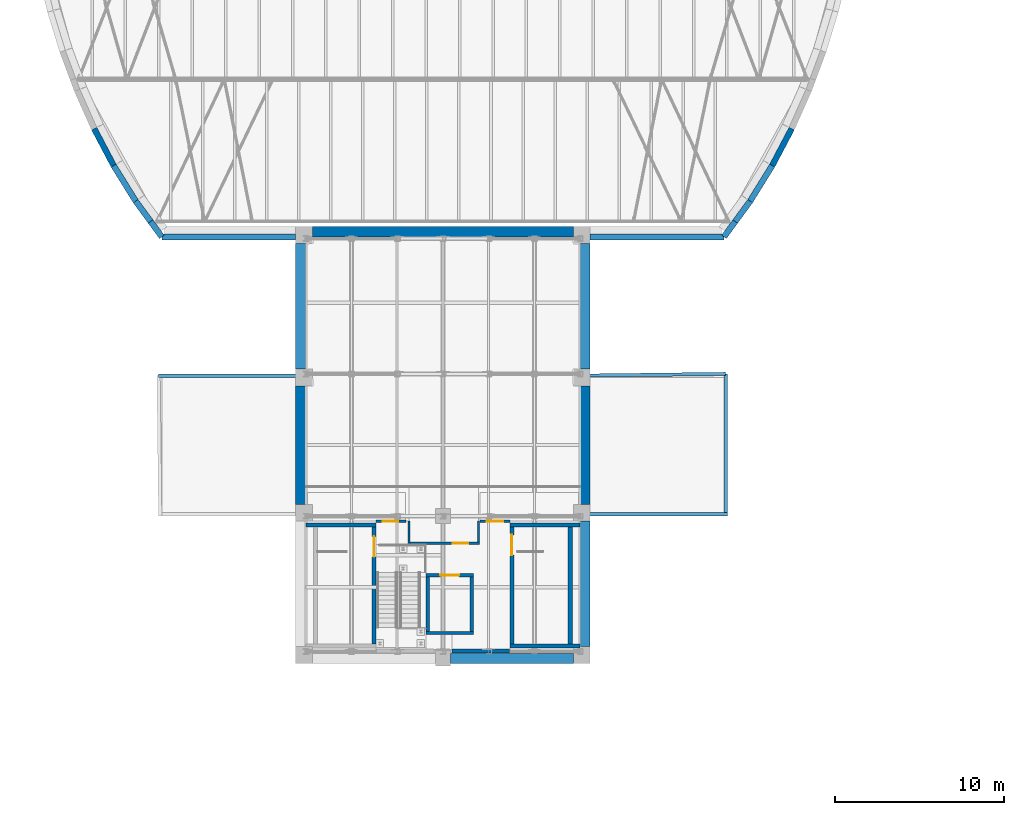
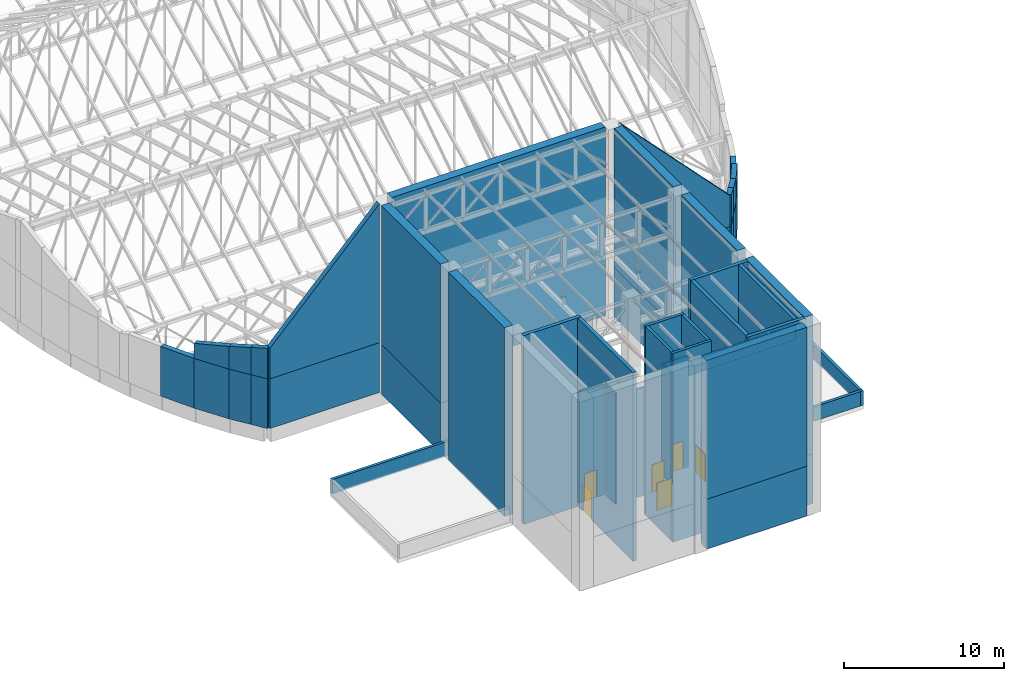
# One storey, part 36 of 68: 49 walls, 6 doors, 6 openings.
"""IFC4 building model written with IfcOpenShell, lengths in metres."""

from ifc_helpers import new_model, si_unit, direction, frame, frame_2d, origin, place, context, subcontext, project, spatial, polyline, rectangle, outline, extrude, material, layer, layer_set, type_object, element, fill, save


model = new_model("IFC4")

# Units and contexts
model_context = context("Model", 3, precision=1e-05, world=origin(), true_north=direction((0.0, 1.0)))
body_context = subcontext(model_context, "Body", "Model", "MODEL_VIEW")
ifc_project = project(units=[si_unit("LENGTHUNIT", "METRE"), si_unit("AREAUNIT", "SQUARE_METRE"), si_unit("VOLUMEUNIT", "CUBIC_METRE"), si_unit("PLANEANGLEUNIT", "RADIAN"), si_unit("MASSUNIT", "GRAM", prefix="KILO")], contexts=[model_context])

# Site, building, storey
site_placement = place(None, origin())
site = spatial("IfcSite", under=ifc_project, at=site_placement, CompositionType="ELEMENT")
building_placement = place(site_placement, origin())
building = spatial("IfcBuilding", under=site, at=building_placement, Name="Larchfold Concert Hall", CompositionType="ELEMENT")
storey_placement = place(building_placement, frame((0.0, 0.0, 28.800048828125)))
storey = spatial("IfcBuildingStorey", under=building, at=storey_placement, Name="L06", CompositionType="ELEMENT", Elevation=28.800048828125)

# Wall
ifc_material_1 = material(Name="Plasterboard partition on steel studs", Category="steel")
ifc_layer_1 = layer(ifc_material_1, 0.125)
ifc_layer_set_1 = layer_set([ifc_layer_1], Name="Plasterboard partition on steel studs")
wall_type_1 = type_object("IfcWallType", Name="Corridor partition 125 EI 60", PredefinedType="PARTITIONING", material=ifc_layer_set_1)
wall_1_placement = place(storey_placement, frame((40.60009765625, 42.31005859375, 0.0), z_axis=(0.0, 0.0, 1.0), x_axis=(-0.000888730541, -0.999999605079, 0.0)))
element("IfcWall", 1, at=wall_1_placement, inside=storey, type_object=wall_type_1, Name="Partition IW0003", PredefinedType="PARTITIONING", context=body_context, shape_type="SweptSolid", body=[
    extrude(rectangle(XDim=1.37353515625, YDim=0.125, at=frame_2d((0.686767578125, 0.0))), origin(), (0.0, 0.0, 1.0), 8.5),
])

# Wall, opening, door
wall_2_placement = place(storey_placement, frame((40.66162109375, 40.9990234375, 0.0), z_axis=(0.0, 0.0, 1.0), x_axis=(0.999999971645, 0.000238137756, 0.0)))
wall_2 = element("IfcWall", 2, at=wall_2_placement, inside=storey, type_object=wall_type_1, Name="Partition IW0004", PredefinedType="PARTITIONING", context=body_context, shape_type="SweptSolid", body=[
    extrude(rectangle(XDim=4.100830078125, YDim=0.125, at=frame_2d((2.05029296875, 0.0))), origin(), (0.0, 0.0, 1.0), 8.259765625),
])
opening_1_placement = place(wall_2_placement, frame((2.523681640625, 0.0, 0.0)))
opening_1 = element("IfcOpeningElement", 3, at=opening_1_placement, cuts=wall_2, Name="Opening D-L06-100", PredefinedType="OPENING", context=body_context, shape_type="SweptSolid", body=[
    extrude(rectangle(XDim=0.89990234375, YDim=2.10009765625, at=frame_2d((0.449951171875, 1.050048828125))), frame((0.0, 0.072509765625, 0.0), z_axis=(0.0, -1.0, 0.0), x_axis=(1.0, 0.0, 0.0)), (0.0, 0.0, 1.0), 0.14501953125),
])
ifc_material_2 = material(Name="Timber door leaf", Category="wood")
door_type_1 = type_object("IfcDoorType", Name="Control room door 900 x 2100 FD60S", OperationType="SINGLE_SWING_LEFT", PredefinedType="DOOR", material=ifc_material_2)
door_1_placement = place(opening_1_placement, origin())
door_1 = element("IfcDoor", 4, at=door_1_placement, inside=storey, type_object=door_type_1, Name="Door D-L06-100", OperationType="SINGLE_SWING_LEFT", OverallHeight=2.10009765625, OverallWidth=0.89990234375, PredefinedType="DOOR", context=body_context, shape_type="SweptSolid", body=[
    extrude(rectangle(XDim=0.89990234375, YDim=2.10009765625, at=frame_2d((0.449951171875, 1.050048828125))), frame((0.0, 0.02490234375, 0.0), z_axis=(0.0, -1.0, 0.0), x_axis=(1.0, 0.0, 0.0)), (0.0, 0.0, 1.0), 0.050048828125),
])
fill(opening_1, door_1)

# Walls
wall_3_placement = place(storey_placement, frame((44.699951171875, 41.0625, 0.0), z_axis=(0.0, 0.0, 1.0), x_axis=(0.0, 1.0, 0.0)))
element("IfcWall", 5, at=wall_3_placement, inside=storey, type_object=wall_type_1, Name="Partition IW0005", PredefinedType="PARTITIONING", context=body_context, shape_type="SweptSolid", body=[
    extrude(rectangle(XDim=1.24658203125, YDim=0.125, at=frame_2d((0.623291015625, 0.0))), origin(), (0.0, 0.0, 1.0), 8.5),
])
ifc_material_3 = material(Name="Plasterboard partition on steel studs", Category="steel")
ifc_layer_2 = layer(ifc_material_3, 0.25)
ifc_layer_set_2 = layer_set([ifc_layer_2], Name="Plasterboard partition on steel studs")
wall_type_2 = type_object("IfcWallType", Name="Hall acoustic double-leaf partition 250", PredefinedType="PARTITIONING", material=ifc_layer_set_2)
wall_4_placement = place(storey_placement, frame((46.530029296875, 34.626953125, 0.0), z_axis=(0.0, 0.0, 1.0), x_axis=(-1.0, 0.0, 0.0)))
element("IfcWall", 6, at=wall_4_placement, inside=storey, type_object=wall_type_2, Name="Partition IW0001", PredefinedType="PARTITIONING", context=body_context, shape_type="SweptSolid", body=[
    extrude(rectangle(XDim=3.400146484375, YDim=0.25, at=frame_2d((1.7001953125, 0.0))), origin(), (0.0, 0.0, 1.0), 8.5),
])
ifc_material_4 = material(Name="White mineral panel on mineral wool")
ifc_layer_3 = layer(ifc_material_4, 0.35009765625)
ifc_layer_set_3 = layer_set([ifc_layer_3], Name="White mineral panel on mineral wool")
wall_type_3 = type_object("IfcWallType", Name="Insulated panel wall 350", PredefinedType="SOLIDWALL", material=ifc_layer_set_3)
wall_5_placement = place(storey_placement, frame((63.20263671875, 65.488525390625, 0.0), z_axis=(0.0, 0.0, 1.0), x_axis=(-0.466442910711, -0.884551304927, 0.0)))
element("IfcWall", 7, at=wall_5_placement, inside=storey, type_object=wall_type_3, Name="Infill wall W5231", PredefinedType="SOLIDWALL", context=body_context, shape_type="SweptSolid", body=[
    extrude(rectangle(XDim=2.469970703125, YDim=0.35009765625, at=frame_2d((1.23486328125, 0.0))), origin(), (0.0, 0.0, 1.0), 3.800048828125),
])
wall_6_placement = place(storey_placement, frame((62.050537109375, 63.3037109375, 0.0), z_axis=(0.0, 0.0, 1.0), x_axis=(-0.527670240174, -0.849449302569, 0.0)))
element("IfcWall", 8, at=wall_6_placement, inside=storey, type_object=wall_type_3, Name="Infill wall W5232", PredefinedType="SOLIDWALL", context=body_context, shape_type="SweptSolid", body=[
    extrude(rectangle(XDim=2.47119140625, YDim=0.35009765625, at=frame_2d((1.235595703125, 0.0))), origin(), (0.0, 0.0, 1.0), 3.800048828125),
])
wall_7_placement = place(storey_placement, frame((62.050537109375, 63.3037109375, 3.800048828125), z_axis=(0.0, 0.0, 1.0), x_axis=(-0.527670240174, -0.849449302569, 0.0)))
element("IfcWall", 9, at=wall_7_placement, inside=storey, type_object=wall_type_3, Name="Infill wall W5233", PredefinedType="SOLIDWALL", context=body_context, shape_type="SweptSolid", body=[
    extrude(outline(polyline([(0.0, 0.0), (2.47119140625, 0.0), (2.47119140625, 1.734375), (0.0, 1.150634765625), (0.0, 0.0)])), frame((0.0, 0.175048828125, 0.0), z_axis=(0.0, -1.0, 0.0), x_axis=(1.0, 0.0, 0.0)), (0.0, 0.0, 1.0), 0.35009765625),
])
wall_8_placement = place(storey_placement, frame((60.74658203125, 61.20458984375, 0.0), z_axis=(0.0, 0.0, 1.0), x_axis=(-0.590803483221, -0.806815495769, 0.0)))
element("IfcWall", 10, at=wall_8_placement, inside=storey, type_object=wall_type_3, Name="Infill wall W5234", PredefinedType="SOLIDWALL", context=body_context, shape_type="SweptSolid", body=[
    extrude(rectangle(XDim=1.492919921875, YDim=0.35009765625, at=frame_2d((0.74658203125, 0.0))), origin(), (0.0, 0.0, 1.0), 3.800048828125),
])
wall_9_placement = place(storey_placement, frame((60.74658203125, 61.20458984375, 3.800048828125), z_axis=(0.0, 0.0, 1.0), x_axis=(-0.590803483221, -0.806815495769, 0.0)))
element("IfcWall", 11, at=wall_9_placement, inside=storey, type_object=wall_type_3, Name="Infill wall W5235", PredefinedType="SOLIDWALL", context=body_context, shape_type="SweptSolid", body=[
    extrude(outline(polyline([(0.0, 0.0), (1.492919921875, 0.0), (1.4931640625, 2.0751953125), (0.0, 1.743896484375), (0.0, 0.0)])), frame((0.0, 0.175048828125, 0.0), z_axis=(0.0, -1.0, 0.0), x_axis=(1.0, 0.0, 0.0)), (0.0, 0.0, 1.0), 0.35009765625),
])
wall_10_placement = place(storey_placement, frame((59.864501953125, 60.0, 0.0), z_axis=(0.0, 0.0, 1.0), x_axis=(-0.590731259203, -0.80686837799, 0.0)))
element("IfcWall", 12, at=wall_10_placement, inside=storey, type_object=wall_type_3, Name="Infill wall W5236", PredefinedType="SOLIDWALL", context=body_context, shape_type="SweptSolid", body=[
    extrude(rectangle(XDim=1.12158203125, YDim=0.35009765625, at=frame_2d((0.560791015625, 0.0))), origin(), (0.0, 0.0, 1.0), 3.800048828125),
])
wall_11_placement = place(storey_placement, frame((59.864501953125, 60.0, 3.800048828125), z_axis=(0.0, 0.0, 1.0), x_axis=(-0.590731259203, -0.80686837799, 0.0)))
element("IfcWall", 13, at=wall_11_placement, inside=storey, type_object=wall_type_3, Name="Infill wall W5237", PredefinedType="SOLIDWALL", context=body_context, shape_type="SweptSolid", body=[
    extrude(outline(polyline([(0.0, 0.0), (1.12158203125, 0.0), (1.121826171875, 2.3310546875), (0.0, 2.08447265625), (0.0, 0.0)])), frame((0.0, 0.175048828125, 0.0), z_axis=(0.0, -1.0, 0.0), x_axis=(1.0, 0.0, 0.0)), (0.0, 0.0, 1.0), 0.35009765625),
])
wall_12_placement = place(storey_placement, frame((59.201904296875, 59.094970703125, 0.0), z_axis=(0.0, 0.0, 1.0), x_axis=(-1.0, 0.0, 0.0)))
element("IfcWall", 14, at=wall_12_placement, inside=storey, type_object=wall_type_3, Name="Infill wall W5238", PredefinedType="SOLIDWALL", context=body_context, shape_type="SweptSolid", body=[
    extrude(rectangle(XDim=7.90185546875, YDim=0.35009765625, at=frame_2d((3.950927734375, 0.0))), origin(), (0.0, 0.0, 1.0), 3.800048828125),
])
wall_13_placement = place(storey_placement, frame((59.201904296875, 59.094970703125, 3.800048828125), z_axis=(0.0, 0.0, 1.0), x_axis=(-1.0, 0.0, 0.0)))
element("IfcWall", 15, at=wall_13_placement, inside=storey, type_object=wall_type_3, Name="Infill wall W5239", PredefinedType="SOLIDWALL", context=body_context, shape_type="SweptSolid", body=[
    extrude(outline(polyline([(0.0, 0.0), (7.90185546875, 0.0), (7.90185546875, 10.58984375), (0.0, 2.335693359375), (0.0, 0.0)])), frame((0.0, 0.175048828125, 0.0), z_axis=(0.0, -1.0, 0.0), x_axis=(1.0, 0.0, 0.0)), (0.0, 0.0, 1.0), 0.35009765625),
])
wall_14_placement = place(storey_placement, frame((33.89990234375, 59.094970703125, 0.0), z_axis=(0.0, 0.0, 1.0), x_axis=(-1.0, 0.0, 0.0)))
element("IfcWall", 16, at=wall_14_placement, inside=storey, type_object=wall_type_3, Name="Infill wall W5240", PredefinedType="SOLIDWALL", context=body_context, shape_type="SweptSolid", body=[
    extrude(rectangle(XDim=7.901611328125, YDim=0.35009765625, at=frame_2d((3.95068359375, 0.0))), origin(), (0.0, 0.0, 1.0), 3.800048828125),
])
wall_15_placement = place(storey_placement, frame((33.89990234375, 59.094970703125, 3.800048828125), z_axis=(0.0, 0.0, 1.0), x_axis=(-1.0, 0.0, 0.0)))
element("IfcWall", 17, at=wall_15_placement, inside=storey, type_object=wall_type_3, Name="Infill wall W5241", PredefinedType="SOLIDWALL", context=body_context, shape_type="SweptSolid", body=[
    extrude(outline(polyline([(0.0, 0.0), (7.901611328125, 0.0), (7.901611328125, 2.335693359375), (0.0, 10.58984375), (0.0, 0.0)])), frame((0.0, 0.175048828125, 0.0), z_axis=(0.0, -1.0, 0.0), x_axis=(1.0, 0.0, 0.0)), (0.0, 0.0, 1.0), 0.35009765625),
])
wall_16_placement = place(storey_placement, frame((25.998291015625, 59.094970703125, 0.0), z_axis=(0.0, 0.0, 1.0), x_axis=(-0.590731259203, 0.80686837799, 0.0)))
element("IfcWall", 18, at=wall_16_placement, inside=storey, type_object=wall_type_3, Name="Infill wall W5242", PredefinedType="SOLIDWALL", context=body_context, shape_type="SweptSolid", body=[
    extrude(rectangle(XDim=1.12158203125, YDim=0.35009765625, at=frame_2d((0.560791015625, 0.0))), origin(), (0.0, 0.0, 1.0), 3.800048828125),
])
wall_17_placement = place(storey_placement, frame((25.998291015625, 59.094970703125, 3.800048828125), z_axis=(0.0, 0.0, 1.0), x_axis=(-0.590731259203, 0.80686837799, 0.0)))
element("IfcWall", 19, at=wall_17_placement, inside=storey, type_object=wall_type_3, Name="Infill wall W5243", PredefinedType="SOLIDWALL", context=body_context, shape_type="SweptSolid", body=[
    extrude(outline(polyline([(0.0, 0.0), (1.12158203125, 0.0), (1.121826171875, 2.08447265625), (0.0, 2.3310546875), (0.0, 0.0)])), frame((0.0, 0.175048828125, 0.0), z_axis=(0.0, -1.0, 0.0), x_axis=(1.0, 0.0, 0.0)), (0.0, 0.0, 1.0), 0.35009765625),
])
wall_18_placement = place(storey_placement, frame((25.335693359375, 60.0, 0.0), z_axis=(0.0, 0.0, 1.0), x_axis=(-0.590803483221, 0.806815495769, 0.0)))
element("IfcWall", 20, at=wall_18_placement, inside=storey, type_object=wall_type_3, Name="Infill wall W5244", PredefinedType="SOLIDWALL", context=body_context, shape_type="SweptSolid", body=[
    extrude(rectangle(XDim=1.492919921875, YDim=0.35009765625, at=frame_2d((0.74658203125, 0.0))), origin(), (0.0, 0.0, 1.0), 3.800048828125),
])
wall_19_placement = place(storey_placement, frame((25.335693359375, 60.0, 3.800048828125), z_axis=(0.0, 0.0, 1.0), x_axis=(-0.590803483221, 0.806815495769, 0.0)))
element("IfcWall", 21, at=wall_19_placement, inside=storey, type_object=wall_type_3, Name="Infill wall W5245", PredefinedType="SOLIDWALL", context=body_context, shape_type="SweptSolid", body=[
    extrude(outline(polyline([(0.0, 0.0), (1.492919921875, 0.0), (1.4931640625, 1.743896484375), (0.0, 2.0751953125), (0.0, 0.0)])), frame((0.0, 0.175048828125, 0.0), z_axis=(0.0, -1.0, 0.0), x_axis=(1.0, 0.0, 0.0)), (0.0, 0.0, 1.0), 0.35009765625),
])
wall_20_placement = place(storey_placement, frame((24.45361328125, 61.20458984375, 0.0), z_axis=(0.0, 0.0, 1.0), x_axis=(-0.527670240174, 0.849449302569, 0.0)))
element("IfcWall", 22, at=wall_20_placement, inside=storey, type_object=wall_type_3, Name="Infill wall W5246", PredefinedType="SOLIDWALL", context=body_context, shape_type="SweptSolid", body=[
    extrude(rectangle(XDim=2.47119140625, YDim=0.35009765625, at=frame_2d((1.235595703125, 0.0))), origin(), (0.0, 0.0, 1.0), 3.800048828125),
])
wall_21_placement = place(storey_placement, frame((24.45361328125, 61.20458984375, 3.800048828125), z_axis=(0.0, 0.0, 1.0), x_axis=(-0.527670240174, 0.849449302569, 0.0)))
element("IfcWall", 23, at=wall_21_placement, inside=storey, type_object=wall_type_3, Name="Infill wall W5247", PredefinedType="SOLIDWALL", context=body_context, shape_type="SweptSolid", body=[
    extrude(outline(polyline([(0.0, 0.0), (2.47119140625, 0.0), (2.47119140625, 1.150634765625), (0.0, 1.734375), (0.0, 0.0)])), frame((0.0, 0.175048828125, 0.0), z_axis=(0.0, -1.0, 0.0), x_axis=(1.0, 0.0, 0.0)), (0.0, 0.0, 1.0), 0.35009765625),
])
wall_22_placement = place(storey_placement, frame((23.149658203125, 63.3037109375, 0.0), z_axis=(0.0, 0.0, 1.0), x_axis=(-0.466442910711, 0.884551304927, 0.0)))
element("IfcWall", 24, at=wall_22_placement, inside=storey, type_object=wall_type_3, Name="Infill wall W5248", PredefinedType="SOLIDWALL", context=body_context, shape_type="SweptSolid", body=[
    extrude(rectangle(XDim=2.469970703125, YDim=0.35009765625, at=frame_2d((1.23486328125, 0.0))), origin(), (0.0, 0.0, 1.0), 3.800048828125),
])
ifc_material_5 = material(Name="White render on insulated block")
ifc_layer_4 = layer(ifc_material_5, 0.199951171875)
ifc_layer_set_4 = layer_set([ifc_layer_4], Name="White render on insulated block")
wall_type_4 = type_object("IfcWallType", Name="Roof parapet 200", PredefinedType="PARAPET", material=ifc_layer_set_4)
wall_23_placement = place(storey_placement, frame((34.18994140625, 50.89990234375, 0.0), z_axis=(0.0, 0.0, 1.0), x_axis=(-1.0, 0.0, 0.0)))
element("IfcWall", 25, at=wall_23_placement, inside=storey, type_object=wall_type_4, Name="Parapet PW0006", PredefinedType="PARAPET", context=body_context, shape_type="SweptSolid", body=[
    extrude(rectangle(XDim=8.389892578125, YDim=0.199951171875, at=frame_2d((4.19482421875, 0.0))), origin(), (0.0, 0.0, 1.0), 1.10009765625),
])
wall_24_placement = place(storey_placement, frame((59.2998046875, 42.60009765625, 0.0), z_axis=(0.0, 0.0, 1.0), x_axis=(0.0, 1.0, 0.0)))
element("IfcWall", 26, at=wall_24_placement, inside=storey, type_object=wall_type_4, Name="Parapet PW0008", PredefinedType="PARAPET", context=body_context, shape_type="SweptSolid", body=[
    extrude(rectangle(XDim=8.39990234375, YDim=0.199951171875, at=frame_2d((4.199951171875, 0.0))), origin(), (0.0, 0.0, 1.0), 1.10009765625),
])
wall_25_placement = place(storey_placement, frame((59.2998046875, 51.0, 0.0), z_axis=(0.0, 0.0, 1.0), x_axis=(-0.999927107514, -0.012073924726, 0.0)))
element("IfcWall", 27, at=wall_25_placement, inside=storey, type_object=wall_type_4, Name="Parapet PW0009", PredefinedType="PARAPET", context=body_context, shape_type="SweptSolid", body=[
    extrude(rectangle(XDim=8.290283203125, YDim=0.199951171875, at=frame_2d((4.14501953125, 0.0))), origin(), (0.0, 0.0, 1.0), 1.10009765625),
])
wall_26_placement = place(storey_placement, frame((51.010009765625, 42.7001953125, 0.0), z_axis=(0.0, 0.0, 1.0), x_axis=(1.0, 0.0, 0.0)))
element("IfcWall", 28, at=wall_26_placement, inside=storey, type_object=wall_type_4, Name="Parapet PW0010", PredefinedType="PARAPET", context=body_context, shape_type="SweptSolid", body=[
    extrude(rectangle(XDim=8.389892578125, YDim=0.199951171875, at=frame_2d((4.19482421875, 0.0))), origin(), (0.0, 0.0, 1.0), 1.10009765625),
])

# Wall, opening, door
ifc_material_6 = material(Name="Plasterboard partition on steel studs", Category="steel")
ifc_layer_5 = layer(ifc_material_6, 0.14990234375)
ifc_layer_set_5 = layer_set([ifc_layer_5], Name="Plasterboard partition on steel studs")
wall_type_5 = type_object("IfcWallType", Name="Shaft and plant partition 150 EI 120", PredefinedType="PARTITIONING", material=ifc_layer_set_5)
wall_27_placement = place(storey_placement, frame((38.639892578125, 42.300048828125, 0.0), z_axis=(0.0, 0.0, 1.0), x_axis=(0.999987123706, 0.005074684347, 0.0)))
wall_27 = element("IfcWall", 29, at=wall_27_placement, inside=storey, type_object=wall_type_5, Name="Partition IW0006", PredefinedType="PARTITIONING", context=body_context, shape_type="SweptSolid", body=[
    extrude(rectangle(XDim=1.780029296875, YDim=0.14990234375, at=frame_2d((0.89013671875, 0.0))), origin(), (0.0, 0.0, 1.0), 8.5),
])
opening_2_placement = place(wall_27_placement, frame((0.419921875, 0.0, 0.0)))
opening_2 = element("IfcOpeningElement", 30, at=opening_2_placement, cuts=wall_27, Name="Opening D-L06-101", PredefinedType="OPENING", context=body_context, shape_type="SweptSolid", body=[
    extrude(rectangle(XDim=0.89990234375, YDim=2.10009765625, at=frame_2d((0.449951171875, 1.050048828125))), frame((0.0, 0.0849609375, 0.0), z_axis=(0.0, -1.0, 0.0), x_axis=(1.0, 0.0, 0.0)), (0.0, 0.0, 1.0), 0.169921875),
])
door_2_placement = place(opening_2_placement, origin())
door_2 = element("IfcDoor", 31, at=door_2_placement, inside=storey, type_object=door_type_1, Name="Door D-L06-101", OperationType="SINGLE_SWING_RIGHT", OverallHeight=2.10009765625, OverallWidth=0.89990234375, PredefinedType="DOOR", context=body_context, shape_type="SweptSolid", body=[
    extrude(rectangle(XDim=0.89990234375, YDim=2.10009765625, at=frame_2d((0.449951171875, 1.050048828125))), frame((0.0, 0.02490234375, 0.0), z_axis=(0.0, -1.0, 0.0), x_axis=(1.0, 0.0, 0.0)), (0.0, 0.0, 1.0), 0.050048828125),
])
fill(opening_2, door_2)

wall_28_placement = place(storey_placement, frame((44.780029296875, 42.30908203125, 0.0), z_axis=(0.0, 0.0, 1.0), x_axis=(0.999984189223, -0.00562328237, 0.0)))
wall_28 = element("IfcWall", 32, at=wall_28_placement, inside=storey, type_object=wall_type_5, Name="Partition IW0007", PredefinedType="PARTITIONING", context=body_context, shape_type="SweptSolid", body=[
    extrude(rectangle(XDim=1.780029296875, YDim=0.14990234375, at=frame_2d((0.89013671875, 0.0))), origin(), (0.0, 0.0, 1.0), 8.5),
])
opening_3_placement = place(wall_28_placement, frame((0.395751953125, 0.0, 0.0)))
opening_3 = element("IfcOpeningElement", 33, at=opening_3_placement, cuts=wall_28, Name="Opening D-L06-102", PredefinedType="OPENING", context=body_context, shape_type="SweptSolid", body=[
    extrude(rectangle(XDim=1.0, YDim=2.10009765625, at=frame_2d((0.5, 1.050048828125))), frame((0.0, 0.0849609375, 0.0), z_axis=(0.0, -1.0, 0.0), x_axis=(1.0, 0.0, 0.0)), (0.0, 0.0, 1.0), 0.169921875),
])
ifc_material_7 = material(Name="Timber door leaf", Category="wood")
door_type_2 = type_object("IfcDoorType", Name="Store door 1000 x 2100 FD60", OperationType="SINGLE_SWING_LEFT", PredefinedType="DOOR", material=ifc_material_7)
door_3_placement = place(opening_3_placement, origin())
door_3 = element("IfcDoor", 34, at=door_3_placement, inside=storey, type_object=door_type_2, Name="Door D-L06-102", OperationType="SINGLE_SWING_RIGHT", OverallHeight=2.10009765625, OverallWidth=1.0, PredefinedType="DOOR", context=body_context, shape_type="SweptSolid", body=[
    extrude(rectangle(XDim=1.0, YDim=2.10009765625, at=frame_2d((0.5, 1.050048828125))), frame((0.0, 0.02490234375, 0.0), z_axis=(0.0, -1.0, 0.0), x_axis=(1.0, 0.0, 0.0)), (0.0, 0.0, 1.0), 0.050048828125),
])
fill(opening_3, door_3)

# Wall
ifc_material_8 = material(Name="Concrete C40/50", Category="concrete")
ifc_layer_6 = layer(ifc_material_8, 0.199951171875)
ifc_layer_set_6 = layer_set([ifc_layer_6], Name="Concrete C40/50")
wall_type_6 = type_object("IfcWallType", Name="Wall RC 200 lift shaft", PredefinedType="SOLIDWALL", material=ifc_layer_set_6)
wall_29_placement = place(storey_placement, frame((41.60009765625, 35.7001953125, 0.0), z_axis=(0.0, 0.0, 1.0), x_axis=(1.0, 0.0, 0.0)))
element("IfcWall", 35, at=wall_29_placement, inside=storey, type_object=wall_type_6, Name="Wall W0024", PredefinedType="SOLIDWALL", context=body_context, shape_type="SweptSolid", body=[
    extrude(rectangle(XDim=2.7998046875, YDim=0.199951171875, at=frame_2d((1.39990234375, 0.0))), origin(), (0.0, 0.0, 1.0), 14.39990234375),
])

# Wall, opening, door
wall_30_placement = place(storey_placement, frame((41.60009765625, 39.099853515625, 0.0), z_axis=(0.0, 0.0, 1.0), x_axis=(1.0, 0.0, 0.0)))
wall_30 = element("IfcWall", 36, at=wall_30_placement, inside=storey, type_object=wall_type_6, Name="Wall W0025", PredefinedType="SOLIDWALL", context=body_context, shape_type="SweptSolid", body=[
    extrude(rectangle(XDim=2.7998046875, YDim=0.199951171875, at=frame_2d((1.39990234375, 0.0))), origin(), (0.0, 0.0, 1.0), 14.39990234375),
])
opening_4_placement = place(wall_30_placement, frame((0.849853515625, 0.0, 0.0)))
opening_4 = element("IfcOpeningElement", 37, at=opening_4_placement, cuts=wall_30, Name="Opening LD-LF05", PredefinedType="OPENING", context=body_context, shape_type="SweptSolid", body=[
    extrude(rectangle(XDim=1.10009765625, YDim=2.10009765625, at=frame_2d((0.550048828125, 1.050048828125))), frame((0.0, 0.10986328125, 0.0), z_axis=(0.0, -1.0, 0.0), x_axis=(1.0, 0.0, 0.0)), (0.0, 0.0, 1.0), 0.219970703125),
])
ifc_material_9 = material(Name="Stainless steel sliding leaves", Category="steel")
door_type_3 = type_object("IfcDoorType", Name="Lift landing door sliding 1100 x 2100", OperationType="SLIDING_TO_LEFT", PredefinedType="DOOR", material=ifc_material_9)
door_4_placement = place(opening_4_placement, origin())
door_4 = element("IfcDoor", 38, at=door_4_placement, inside=storey, type_object=door_type_3, Name="Lift landing door LF05", OperationType="SLIDING_TO_LEFT", OverallHeight=2.10009765625, OverallWidth=1.10009765625, PredefinedType="DOOR", context=body_context, shape_type="SweptSolid", body=[
    extrude(rectangle(XDim=1.10009765625, YDim=2.10009765625, at=frame_2d((0.550048828125, 1.050048828125))), frame((0.0, 0.02490234375, 0.0), z_axis=(0.0, -1.0, 0.0), x_axis=(1.0, 0.0, 0.0)), (0.0, 0.0, 1.0), 0.050048828125),
])
fill(opening_4, door_4)

# Walls
for number, where, z_axis, x_axis, name in (
    (39, (41.7001953125, 35.800048828125, 0.0), (0.0, 0.0, 1.0), (0.0, 1.0, 0.0), "Wall W0026"),
    (40, (44.2998046875, 35.800048828125, 0.0), (0.0, 0.0, 1.0), (0.0, 1.0, 0.0), "Wall W0027"),
):
    element("IfcWall", number, at=place(storey_placement, frame(where, z_axis=z_axis, x_axis=x_axis)), inside=storey, type_object=wall_type_6, Name=name, PredefinedType="SOLIDWALL", context=body_context, shape_type="SweptSolid", body=[
        extrude(rectangle(XDim=3.199951171875, YDim=0.199951171875, at=frame_2d((1.60009765625, 0.0))), origin(), (0.0, 0.0, 1.0), 14.39990234375),
    ])
ifc_material_10 = material(Name="Concrete C40/50", Category="concrete")
ifc_layer_7 = layer(ifc_material_10, 0.25)
ifc_layer_set_7 = layer_set([ifc_layer_7], Name="Concrete C40/50")
wall_type_7 = type_object("IfcWallType", Name="Wall RC 250 stair core", PredefinedType="SOLIDWALL", material=ifc_layer_set_7)
wall_31_placement = place(storey_placement, frame((34.5, 42.074951171875, 0.0), z_axis=(0.0, 0.0, 1.0), x_axis=(1.0, 0.0, 0.0)))
element("IfcWall", 41, at=wall_31_placement, inside=storey, type_object=wall_type_7, Name="Wall W0017", PredefinedType="SOLIDWALL", context=body_context, shape_type="SweptSolid", body=[
    extrude(rectangle(XDim=4.14990234375, YDim=0.25, at=frame_2d((2.074951171875, 0.0))), origin(), (0.0, 0.0, 1.0), 14.39990234375),
])

# Wall, opening, door
wall_32_placement = place(storey_placement, frame((38.52490234375, 35.050048828125, 0.0), z_axis=(0.0, 0.0, 1.0), x_axis=(0.0, 1.0, 0.0)))
wall_32 = element("IfcWall", 42, at=wall_32_placement, inside=storey, type_object=wall_type_7, Name="Wall W0019", PredefinedType="SOLIDWALL", context=body_context, shape_type="SweptSolid", body=[
    extrude(rectangle(XDim=6.89990234375, YDim=0.25, at=frame_2d((3.449951171875, 0.0))), origin(), (0.0, 0.0, 1.0), 14.39990234375),
])
opening_5_placement = place(wall_32_placement, frame((5.14990234375, 0.0, 0.0)))
opening_5 = element("IfcOpeningElement", 43, at=opening_5_placement, cuts=wall_32, Name="Opening D-L06-103", PredefinedType="OPENING", context=body_context, shape_type="SweptSolid", body=[
    extrude(rectangle(XDim=1.199951171875, YDim=2.10009765625, at=frame_2d((0.60009765625, 1.050048828125))), frame((0.0, 0.135009765625, 0.0), z_axis=(0.0, -1.0, 0.0), x_axis=(1.0, 0.0, 0.0)), (0.0, 0.0, 1.0), 0.27001953125),
])
ifc_material_11 = material(Name="Timber door leaf", Category="wood")
door_type_4 = type_object("IfcDoorType", Name="Stair enclosure door pair 1200 x 2100 FD60", OperationType="SINGLE_SWING_LEFT", PredefinedType="DOOR", material=ifc_material_11)
door_5_placement = place(opening_5_placement, origin())
door_5 = element("IfcDoor", 44, at=door_5_placement, inside=storey, type_object=door_type_4, Name="Door D-L06-103", OperationType="DOUBLE_DOOR_SINGLE_SWING", OverallHeight=2.10009765625, OverallWidth=1.199951171875, PredefinedType="DOOR", context=body_context, shape_type="SweptSolid", body=[
    extrude(rectangle(XDim=1.199951171875, YDim=2.10009765625, at=frame_2d((0.60009765625, 1.050048828125))), frame((0.0, 0.02490234375, 0.0), z_axis=(0.0, -1.0, 0.0), x_axis=(1.0, 0.0, 0.0)), (0.0, 0.0, 1.0), 0.050048828125),
])
fill(opening_5, door_5)

# Walls
for number, where, z_axis, x_axis, name in (
    (45, (46.550048828125, 34.925048828125, 0.0), (0.0, 0.0, 1.0), (1.0, 0.0, 0.0), "Wall W0020"),
    (46, (46.550048828125, 42.074951171875, 0.0), (0.0, 0.0, 1.0), (1.0, 0.0, 0.0), "Wall W0021"),
):
    element("IfcWall", number, at=place(storey_placement, frame(where, z_axis=z_axis, x_axis=x_axis)), inside=storey, type_object=wall_type_7, Name=name, PredefinedType="SOLIDWALL", context=body_context, shape_type="SweptSolid", body=[
        extrude(rectangle(XDim=4.14990234375, YDim=0.25, at=frame_2d((2.074951171875, 0.0))), origin(), (0.0, 0.0, 1.0), 14.39990234375),
    ])

# Wall, opening, door
wall_33_placement = place(storey_placement, frame((46.675048828125, 35.050048828125, 0.0), z_axis=(0.0, 0.0, 1.0), x_axis=(0.0, 1.0, 0.0)))
wall_33 = element("IfcWall", 47, at=wall_33_placement, inside=storey, type_object=wall_type_7, Name="Wall W0022", PredefinedType="SOLIDWALL", context=body_context, shape_type="SweptSolid", body=[
    extrude(rectangle(XDim=6.89990234375, YDim=0.25, at=frame_2d((3.449951171875, 0.0))), origin(), (0.0, 0.0, 1.0), 14.39990234375),
])
opening_6_placement = place(wall_33_placement, frame((5.249755859375, 0.0, 0.0)))
opening_6 = element("IfcOpeningElement", 48, at=opening_6_placement, cuts=wall_33, Name="Opening D-L06-104", PredefinedType="OPENING", context=body_context, shape_type="SweptSolid", body=[
    extrude(rectangle(XDim=1.199951171875, YDim=2.10009765625, at=frame_2d((0.60009765625, 1.050048828125))), frame((0.0, 0.135009765625, 0.0), z_axis=(0.0, -1.0, 0.0), x_axis=(1.0, 0.0, 0.0)), (0.0, 0.0, 1.0), 0.27001953125),
])
door_6_placement = place(opening_6_placement, origin())
door_6 = element("IfcDoor", 49, at=door_6_placement, inside=storey, type_object=door_type_4, Name="Door D-L06-104", OperationType="DOUBLE_DOOR_SINGLE_SWING", OverallHeight=2.10009765625, OverallWidth=1.199951171875, PredefinedType="DOOR", context=body_context, shape_type="SweptSolid", body=[
    extrude(rectangle(XDim=1.199951171875, YDim=2.10009765625, at=frame_2d((0.60009765625, 1.050048828125))), frame((0.0, 0.02490234375, 0.0), z_axis=(0.0, -1.0, 0.0), x_axis=(1.0, 0.0, 0.0)), (0.0, 0.0, 1.0), 0.050048828125),
])
fill(opening_6, door_6)

# Walls
wall_34_placement = place(storey_placement, frame((50.125, 35.050048828125, 0.0), z_axis=(0.0, 0.0, 1.0), x_axis=(0.0, 1.0, 0.0)))
element("IfcWall", 50, at=wall_34_placement, inside=storey, type_object=wall_type_7, Name="Wall W0023", PredefinedType="SOLIDWALL", context=body_context, shape_type="SweptSolid", body=[
    extrude(rectangle(XDim=6.89990234375, YDim=0.25, at=frame_2d((3.449951171875, 0.0))), origin(), (0.0, 0.0, 1.0), 14.39990234375),
])
ifc_material_12 = material(Name="Concrete C40/50", Category="concrete")
ifc_layer_8 = layer(ifc_material_12, 0.60009765625)
ifc_layer_set_8 = layer_set([ifc_layer_8], Name="Concrete C40/50")
wall_type_8 = type_object("IfcWallType", Name="Wall RC 600 stage house", PredefinedType="SOLIDWALL", material=ifc_layer_set_8)
wall_35_placement = place(storey_placement, frame((51.0, 34.89990234375, 0.0), z_axis=(0.0, 0.0, 1.0), x_axis=(0.0, 1.0, 0.0)))
element("IfcWall", 51, at=wall_35_placement, inside=storey, type_object=wall_type_8, Name="Wall W0001", PredefinedType="SOLIDWALL", context=body_context, shape_type="SweptSolid", body=[
    extrude(rectangle(XDim=7.400146484375, YDim=0.60009765625, at=frame_2d((3.7001953125, 0.0))), origin(), (0.0, 0.0, 1.0), 3.800048828125),
])
wall_36_placement = place(storey_placement, frame((51.0, 34.89990234375, 3.800048828125), z_axis=(0.0, 0.0, 1.0), x_axis=(0.0, 1.0, 0.0)))
element("IfcWall", 52, at=wall_36_placement, inside=storey, type_object=wall_type_8, Name="Wall W0002", PredefinedType="SOLIDWALL", context=body_context, shape_type="SweptSolid", body=[
    extrude(rectangle(XDim=7.400146484375, YDim=0.60009765625, at=frame_2d((3.7001953125, 0.0))), origin(), (0.0, 0.0, 1.0), 10.599853515625),
])
wall_37_placement = place(storey_placement, frame((51.0, 43.300048828125, 0.0), z_axis=(0.0, 0.0, 1.0), x_axis=(0.0, 1.0, 0.0)))
element("IfcWall", 53, at=wall_37_placement, inside=storey, type_object=wall_type_8, Name="Wall W0003", PredefinedType="SOLIDWALL", context=body_context, shape_type="SweptSolid", body=[
    extrude(rectangle(XDim=7.0, YDim=0.60009765625, at=frame_2d((3.5, 0.0))), origin(), (0.0, 0.0, 1.0), 14.39990234375),
])
wall_38_placement = place(storey_placement, frame((51.0, 51.300048828125, 0.0), z_axis=(0.0, 0.0, 1.0), x_axis=(0.0, 1.0, 0.0)))
element("IfcWall", 54, at=wall_38_placement, inside=storey, type_object=wall_type_8, Name="Wall W0004", PredefinedType="SOLIDWALL", context=body_context, shape_type="SweptSolid", body=[
    extrude(rectangle(XDim=7.39990234375, YDim=0.60009765625, at=frame_2d((3.699951171875, 0.0))), origin(), (0.0, 0.0, 1.0), 3.800048828125),
])
wall_39_placement = place(storey_placement, frame((51.0, 51.300048828125, 3.800048828125), z_axis=(0.0, 0.0, 1.0), x_axis=(0.0, 1.0, 0.0)))
element("IfcWall", 55, at=wall_39_placement, inside=storey, type_object=wall_type_8, Name="Wall W0005", PredefinedType="SOLIDWALL", context=body_context, shape_type="SweptSolid", body=[
    extrude(rectangle(XDim=7.39990234375, YDim=0.60009765625, at=frame_2d((3.699951171875, 0.0))), origin(), (0.0, 0.0, 1.0), 10.599853515625),
])
wall_40_placement = place(storey_placement, frame((50.300048828125, 59.39990234375, 0.0), z_axis=(0.0, 0.0, 1.0), x_axis=(-1.0, 0.0, 0.0)))
element("IfcWall", 56, at=wall_40_placement, inside=storey, type_object=wall_type_8, Name="Wall W0006", PredefinedType="SOLIDWALL", context=body_context, shape_type="SweptSolid", body=[
    extrude(rectangle(XDim=15.400146484375, YDim=0.60009765625, at=frame_2d((7.7001953125, 0.0))), origin(), (0.0, 0.0, 1.0), 14.39990234375),
])
wall_41_placement = place(storey_placement, frame((34.199951171875, 58.699951171875, 0.0), z_axis=(0.0, 0.0, 1.0), x_axis=(0.0, -1.0, 0.0)))
element("IfcWall", 57, at=wall_41_placement, inside=storey, type_object=wall_type_8, Name="Wall W0007", PredefinedType="SOLIDWALL", context=body_context, shape_type="SweptSolid", body=[
    extrude(rectangle(XDim=7.39990234375, YDim=0.60009765625, at=frame_2d((3.699951171875, 0.0))), origin(), (0.0, 0.0, 1.0), 3.800048828125),
])
wall_42_placement = place(storey_placement, frame((34.199951171875, 58.699951171875, 3.800048828125), z_axis=(0.0, 0.0, 1.0), x_axis=(0.0, -1.0, 0.0)))
element("IfcWall", 58, at=wall_42_placement, inside=storey, type_object=wall_type_8, Name="Wall W0008", PredefinedType="SOLIDWALL", context=body_context, shape_type="SweptSolid", body=[
    extrude(rectangle(XDim=7.39990234375, YDim=0.60009765625, at=frame_2d((3.699951171875, 0.0))), origin(), (0.0, 0.0, 1.0), 10.599853515625),
])
wall_43_placement = place(storey_placement, frame((34.199951171875, 50.300048828125, 0.0), z_axis=(0.0, 0.0, 1.0), x_axis=(0.0, -1.0, 0.0)))
element("IfcWall", 59, at=wall_43_placement, inside=storey, type_object=wall_type_8, Name="Wall W0009", PredefinedType="SOLIDWALL", context=body_context, shape_type="SweptSolid", body=[
    extrude(rectangle(XDim=7.0, YDim=0.60009765625, at=frame_2d((3.5, 0.0))), origin(), (0.0, 0.0, 1.0), 14.39990234375),
])
wall_44_placement = place(storey_placement, frame((43.050048828125, 34.199951171875, 0.0), z_axis=(0.0, 0.0, 1.0), x_axis=(1.0, 0.0, 0.0)))
element("IfcWall", 60, at=wall_44_placement, inside=storey, type_object=wall_type_8, Name="Wall W0014", PredefinedType="SOLIDWALL", context=body_context, shape_type="SweptSolid", body=[
    extrude(rectangle(XDim=7.25, YDim=0.60009765625, at=frame_2d((3.625, 0.0))), origin(), (0.0, 0.0, 1.0), 3.800048828125),
])
wall_45_placement = place(storey_placement, frame((43.050048828125, 34.199951171875, 3.800048828125), z_axis=(0.0, 0.0, 1.0), x_axis=(1.0, 0.0, 0.0)))
element("IfcWall", 61, at=wall_45_placement, inside=storey, type_object=wall_type_8, Name="Wall W0015", PredefinedType="SOLIDWALL", context=body_context, shape_type="SweptSolid", body=[
    extrude(rectangle(XDim=7.25, YDim=0.60009765625, at=frame_2d((3.625, 0.0))), origin(), (0.0, 0.0, 1.0), 10.599853515625),
])

save(model, "model.ifc")
